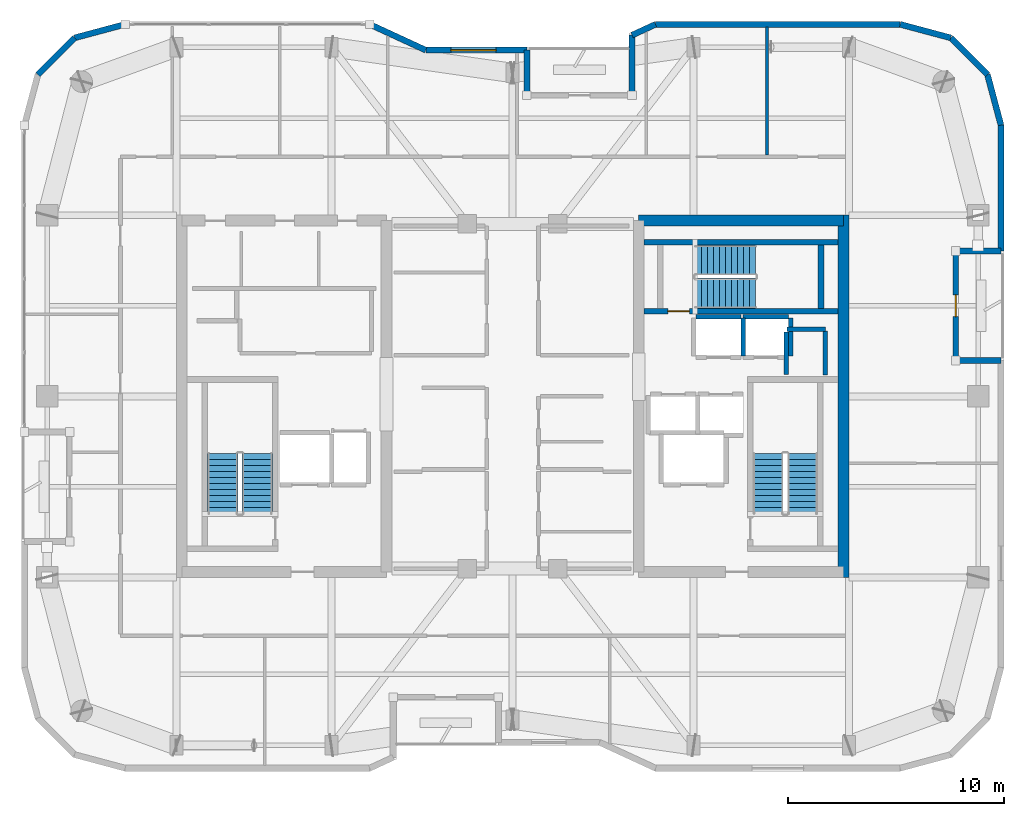
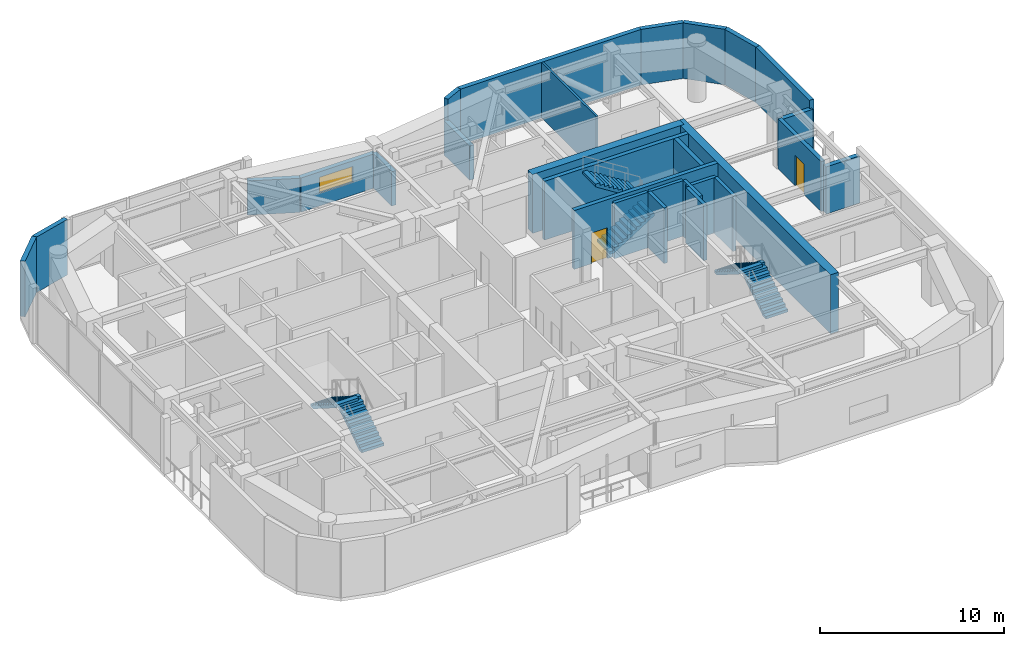
# One storey, part 13 of 15: 28 walls, 6 stair flights, 2 doors, 1 window, 3 openings, 3 elements without a shape of their own.
"""IFC4 building model written with IfcOpenShell, lengths in metres."""

from ifc_helpers import new_model, si_unit, direction, frame, frame_2d, origin, place, context, subcontext, project, spatial, polyline, rectangle, outline, extrude, material, layer, layer_set, type_object, element, fill, aggregate, save


model = new_model("IFC4")

# Units and contexts
model_context = context("Model", 3, precision=1e-05, world=origin(), true_north=direction((0.0, 1.0)))
body_context = subcontext(model_context, "Body", "Model", "MODEL_VIEW")
ifc_project = project(units=[si_unit("LENGTHUNIT", "METRE"), si_unit("AREAUNIT", "SQUARE_METRE"), si_unit("VOLUMEUNIT", "CUBIC_METRE"), si_unit("PLANEANGLEUNIT", "RADIAN"), si_unit("MASSUNIT", "GRAM", prefix="KILO")], contexts=[model_context])

# Site, building, storey
site_placement = place(None, origin())
site = spatial("IfcSite", under=ifc_project, at=site_placement, CompositionType="ELEMENT")
building_placement = place(site_placement, origin())
building = spatial("IfcBuilding", under=site, at=building_placement, Name="Kiyonajd Concourse Tower", CompositionType="ELEMENT")
storey_placement = place(building_placement, frame((0.0, 0.0, 266.699951171875)))
storey = spatial("IfcBuildingStorey", under=building, at=storey_placement, Name="L67", CompositionType="ELEMENT", Elevation=266.699951171875)

# Walls
ifc_material_1 = material(Name="Concrete C60/75", Category="concrete")
ifc_layer_1 = layer(ifc_material_1, 0.5)
ifc_layer_set_1 = layer_set([ifc_layer_1], Name="Concrete C60/75")
wall_type_1 = type_object("IfcWallType", Name="WL-CORE-500", PredefinedType="SHEAR", material=ifc_layer_set_1)
wall_1_placement = place(storey_placement, frame((63.35009765625, 27.60009765625, 0.0), z_axis=(0.0, 0.0, 1.0), x_axis=(0.0, 1.0, 0.0)))
element("IfcWall", 1, at=wall_1_placement, inside=storey, type_object=wall_type_1, Name="L67 East Core Outer Shear Wall", PredefinedType="SHEAR", context=body_context, shape_type="SweptSolid", body=[
    extrude(rectangle(XDim=16.7998046875, YDim=0.5, at=frame_2d((8.39990234375, 0.0))), origin(), (0.0, 0.0, 1.0), 3.900146484375),
])
wall_2_placement = place(storey_placement, frame((53.85009765625, 44.14990234375, 0.0), z_axis=(0.0, 0.0, 1.0), x_axis=(1.0, 0.0, 0.0)))
element("IfcWall", 2, at=wall_2_placement, inside=storey, type_object=wall_type_1, Name="L67 East Core North Shear Wall", PredefinedType="SHEAR", context=body_context, shape_type="SweptSolid", body=[
    extrude(rectangle(XDim=9.5, YDim=0.5, at=frame_2d((4.75, 0.0))), origin(), (0.0, 0.0, 1.0), 3.900146484375),
])
ifc_material_2 = material(Name="Precast concrete C50/60", Category="concrete")
ifc_layer_2 = layer(ifc_material_2, 0.280029296875)
ifc_layer_set_2 = layer_set([ifc_layer_2], Name="Precast concrete C50/60")
wall_type_2 = type_object("IfcWallType", Name="WL-EXT-280", PredefinedType="SOLIDWALL", material=ifc_layer_set_2)
wall_3_placement = place(storey_placement, frame((25.968505859375, 50.927490234375, 0.0), z_axis=(0.0, 0.0, 1.0), x_axis=(0.707106781187, 0.707106781187, 0.0)))
element("IfcWall", 3, at=wall_3_placement, inside=storey, type_object=wall_type_2, Name="L67 Exterior Concrete Frame Wall 07", PredefinedType="SOLIDWALL", context=body_context, shape_type="SweptSolid", body=[
    extrude(rectangle(XDim=2.409912109375, YDim=0.280029296875, at=frame_2d((1.205078125, 0.0))), origin(), (0.0, 0.0, 1.0), 3.679931640625),
])
wall_4_placement = place(storey_placement, frame((27.672607421875, 52.631591796875, 0.0), z_axis=(0.0, 0.0, 1.0), x_axis=(0.965937282298, 0.25877628691, 0.0)))
element("IfcWall", 4, at=wall_4_placement, inside=storey, type_object=wall_type_2, Name="L67 Exterior Concrete Frame Wall 08", PredefinedType="SOLIDWALL", context=body_context, shape_type="SweptSolid", body=[
    extrude(rectangle(XDim=2.428466796875, YDim=0.280029296875, at=frame_2d((1.21435546875, 0.0))), origin(), (0.0, 0.0, 1.0), 3.679931640625),
])
wall_5_placement = place(storey_placement, frame((41.369384765625, 53.260009765625, 0.0), z_axis=(0.0, 0.0, 1.0), x_axis=(0.907956889006, -0.419063584324, 0.0)))
element("IfcWall", 5, at=wall_5_placement, inside=storey, type_object=wall_type_2, Name="L67 Exterior Concrete Frame Wall 10", PredefinedType="SOLIDWALL", context=body_context, shape_type="SweptSolid", body=[
    extrude(rectangle(XDim=2.863525390625, YDim=0.280029296875, at=frame_2d((1.431640625, 0.0))), origin(), (0.0, 0.0, 1.0), 2.26513671875),
])

# Wall, opening, window
wall_6_placement = place(storey_placement, frame((43.96923828125, 52.06005859375, 0.0), z_axis=(0.0, 0.0, 1.0), x_axis=(1.0, 0.0, 0.0)))
wall_6 = element("IfcWall", 6, at=wall_6_placement, inside=storey, type_object=wall_type_2, Name="L67 Exterior Concrete Frame Wall 11", PredefinedType="SOLIDWALL", context=body_context, shape_type="SweptSolid", body=[
    extrude(rectangle(XDim=4.690673828125, YDim=0.280029296875, at=frame_2d((2.34521484375, 0.0))), origin(), (0.0, 0.0, 1.0), 2.26513671875),
])
opening_1_placement = place(wall_6_placement, frame((1.159912109375, 0.0, 0.85009765625)))
opening_1 = element("IfcOpeningElement", 7, at=opening_1_placement, cuts=wall_6, Name="Opening WN5", PredefinedType="OPENING", context=body_context, shape_type="SweptSolid", body=[
    extrude(rectangle(XDim=2.10009765625, YDim=1.050048828125, at=frame_2d((1.050048828125, 0.52490234375))), frame((0.0, 0.14990234375, 0.0), z_axis=(0.0, -1.0, 0.0), x_axis=(1.0, 0.0, 0.0)), (0.0, 0.0, 1.0), 0.300048828125),
])
ifc_material_3 = material(Name="Double Low-E Insulated Glass", Category="glass")
window_type = type_object("IfcWindowType", Name="WN-VIS-2100x1050", PartitioningType="SINGLE_PANEL", PredefinedType="WINDOW", material=ifc_material_3)
window_placement = place(opening_1_placement, origin())
window = element("IfcWindow", 8, at=window_placement, inside=storey, type_object=window_type, Name="L67 Modular Facade Vision Window 11", OverallHeight=1.050048828125, OverallWidth=2.10009765625, PartitioningType="SINGLE_PANEL", PredefinedType="WINDOW", context=body_context, shape_type="SweptSolid", body=[
    extrude(rectangle(XDim=2.10009765625, YDim=1.050048828125, at=frame_2d((1.050048828125, 0.52490234375))), frame((0.0, 0.030029296875, 0.0), z_axis=(0.0, -1.0, 0.0), x_axis=(1.0, 0.0, 0.0)), (0.0, 0.0, 1.0), 0.06005859375),
])
fill(opening_1, window)

# Walls
wall_7_placement = place(storey_placement, frame((48.659912109375, 52.06005859375, 0.0), z_axis=(0.0, 0.0, 1.0), x_axis=(0.0, -1.0, 0.0)))
element("IfcWall", 9, at=wall_7_placement, inside=storey, type_object=wall_type_2, Name="L67 Exterior Concrete Frame Wall 12", PredefinedType="SOLIDWALL", context=body_context, shape_type="SweptSolid", body=[
    extrude(rectangle(XDim=2.10009765625, YDim=0.280029296875, at=frame_2d((1.050048828125, 0.0))), origin(), (0.0, 0.0, 1.0), 2.26513671875),
])
wall_8_placement = place(storey_placement, frame((53.5400390625, 49.9599609375, 0.0), z_axis=(0.0, 0.0, 1.0), x_axis=(0.0, 1.0, 0.0)))
element("IfcWall", 10, at=wall_8_placement, inside=storey, type_object=wall_type_2, Name="L67 Exterior Concrete Frame Wall 14", PredefinedType="SOLIDWALL", context=body_context, shape_type="SweptSolid", body=[
    extrude(rectangle(XDim=2.79638671875, YDim=0.280029296875, at=frame_2d((1.398193359375, 0.0))), origin(), (0.0, 0.0, 1.0), 2.26513671875),
])
wall_9_placement = place(storey_placement, frame((53.5400390625, 52.75634765625, 0.0), z_axis=(0.0, 0.0, 1.0), x_axis=(0.907893953211, 0.419199916176, 0.0)))
element("IfcWall", 11, at=wall_9_placement, inside=storey, type_object=wall_type_2, Name="L67 Exterior Concrete Frame Wall 15", PredefinedType="SOLIDWALL", context=body_context, shape_type="SweptSolid", body=[
    extrude(rectangle(XDim=1.201416015625, YDim=0.280029296875, at=frame_2d((0.6005859375, 0.0))), origin(), (0.0, 0.0, 1.0), 3.679931640625),
])
wall_10_placement = place(storey_placement, frame((54.630859375, 53.260009765625, 0.0), z_axis=(0.0, 0.0, 1.0), x_axis=(1.0, 0.0, 0.0)))
element("IfcWall", 12, at=wall_10_placement, inside=storey, type_object=wall_type_2, Name="L67 Exterior Concrete Frame Wall 16", PredefinedType="SOLIDWALL", context=body_context, shape_type="SweptSolid", body=[
    extrude(rectangle(XDim=11.350830078125, YDim=0.280029296875, at=frame_2d((5.67529296875, 0.0))), origin(), (0.0, 0.0, 1.0), 3.679931640625),
])
wall_11_placement = place(storey_placement, frame((65.981689453125, 53.260009765625, 0.0), z_axis=(0.0, 0.0, 1.0), x_axis=(0.965937282298, -0.25877628691, 0.0)))
element("IfcWall", 13, at=wall_11_placement, inside=storey, type_object=wall_type_2, Name="L67 Exterior Concrete Frame Wall 17", PredefinedType="SOLIDWALL", context=body_context, shape_type="SweptSolid", body=[
    extrude(rectangle(XDim=2.428466796875, YDim=0.280029296875, at=frame_2d((1.21435546875, 0.0))), origin(), (0.0, 0.0, 1.0), 3.679931640625),
])
wall_12_placement = place(storey_placement, frame((68.327392578125, 52.631591796875, 0.0), z_axis=(0.0, 0.0, 1.0), x_axis=(0.707106781187, -0.707106781187, 0.0)))
element("IfcWall", 14, at=wall_12_placement, inside=storey, type_object=wall_type_2, Name="L67 Exterior Concrete Frame Wall 18", PredefinedType="SOLIDWALL", context=body_context, shape_type="SweptSolid", body=[
    extrude(rectangle(XDim=2.409912109375, YDim=0.280029296875, at=frame_2d((1.205078125, 0.0))), origin(), (0.0, 0.0, 1.0), 3.679931640625),
])
wall_13_placement = place(storey_placement, frame((70.031494140625, 50.927490234375, 0.0), z_axis=(0.0, 0.0, 1.0), x_axis=(0.258751159445, -0.965944013639, 0.0)))
element("IfcWall", 15, at=wall_13_placement, inside=storey, type_object=wall_type_2, Name="L67 Exterior Concrete Frame Wall 19", PredefinedType="SOLIDWALL", context=body_context, shape_type="SweptSolid", body=[
    extrude(rectangle(XDim=2.4287109375, YDim=0.280029296875, at=frame_2d((1.21435546875, 0.0))), origin(), (0.0, 0.0, 1.0), 3.679931640625),
])
wall_14_placement = place(storey_placement, frame((70.659912109375, 48.58154296875, 0.0), z_axis=(0.0, 0.0, 1.0), x_axis=(0.0, -1.0, 0.0)))
element("IfcWall", 16, at=wall_14_placement, inside=storey, type_object=wall_type_2, Name="L67 Exterior Concrete Frame Wall 20", PredefinedType="SOLIDWALL", context=body_context, shape_type="SweptSolid", body=[
    extrude(rectangle(XDim=5.841552734375, YDim=0.280029296875, at=frame_2d((2.9208984375, 0.0))), origin(), (0.0, 0.0, 1.0), 3.679931640625),
])
for number, where, z_axis, x_axis, name in (
    (17, (70.659912109375, 42.739990234375, 0.0), (0.0, 0.0, 1.0), (-1.0, 0.0, 0.0), "L67 Exterior Concrete Frame Wall 21"),
    (18, (68.56005859375, 37.659912109375, 0.0), (0.0, 0.0, 1.0), (1.0, 0.0, 0.0), "L67 Exterior Concrete Frame Wall 23"),
):
    element("IfcWall", number, at=place(storey_placement, frame(where, z_axis=z_axis, x_axis=x_axis)), inside=storey, type_object=wall_type_2, Name=name, PredefinedType="SOLIDWALL", context=body_context, shape_type="SweptSolid", body=[
        extrude(rectangle(XDim=2.099853515625, YDim=0.280029296875, at=frame_2d((1.0498046875, 0.0))), origin(), (0.0, 0.0, 1.0), 3.1259765625),
    ])

# Wall, opening, door
ifc_layer_3 = layer(ifc_material_2, 0.239990234375)
ifc_layer_set_3 = layer_set([ifc_layer_3], Name="Precast concrete C50/60")
wall_type_3 = type_object("IfcWallType", Name="WL-LOG-240", PredefinedType="SOLIDWALL", material=ifc_layer_set_3)
wall_15_placement = place(storey_placement, frame((68.56005859375, 42.544921875, 0.0), z_axis=(0.0, 0.0, 1.0), x_axis=(0.0, -1.0, 0.0)))
wall_15 = element("IfcWall", 19, at=wall_15_placement, inside=storey, type_object=wall_type_3, Name="L67 Recessed Loggia Thermal Wall LOG-E", PredefinedType="SOLIDWALL", context=body_context, shape_type="SweptSolid", body=[
    extrude(rectangle(XDim=4.68994140625, YDim=0.239990234375, at=frame_2d((2.344970703125, 0.0))), origin(), (0.0, 0.0, 1.0), 3.31103515625),
])
opening_2_placement = place(wall_15_placement, frame((1.844970703125, 0.0, 0.0)))
opening_2 = element("IfcOpeningElement", 20, at=opening_2_placement, cuts=wall_15, Name="Opening DL1", PredefinedType="OPENING", context=body_context, shape_type="SweptSolid", body=[
    extrude(rectangle(XDim=1.0, YDim=2.02001953125, at=frame_2d((0.5, 1.010009765625))), frame((0.0, 0.1298828125, 0.0), z_axis=(0.0, -1.0, 0.0), x_axis=(1.0, 0.0, 0.0)), (0.0, 0.0, 1.0), 0.260009765625),
])
ifc_material_4 = material(Name="Thermally Broken Anodised Aluminium", Category="aluminium")
door_type_1 = type_object("IfcDoorType", Name="DR-LOG-1000", OperationType="NOTDEFINED", PredefinedType="DOOR", material=ifc_material_4)
door_1_placement = place(opening_2_placement, origin())
door_1 = element("IfcDoor", 21, at=door_1_placement, inside=storey, type_object=door_type_1, Name="L67 Engawa Loggia Access Door LOG-E", OperationType="SINGLE_SWING_LEFT", OverallHeight=2.02001953125, OverallWidth=1.0, PredefinedType="DOOR", context=body_context, shape_type="SweptSolid", body=[
    extrude(rectangle(XDim=1.0, YDim=2.02001953125, at=frame_2d((0.5, 1.010009765625))), frame((0.0, 0.02490234375, 0.0), z_axis=(0.0, -1.0, 0.0), x_axis=(1.0, 0.0, 0.0)), (0.0, 0.0, 1.0), 0.050048828125),
])
fill(opening_2, door_1)

# Walls
ifc_material_5 = material(Name="Gypsum Board on Cold-Formed Steel Stud", Category="steel")
ifc_layer_4 = layer(ifc_material_5, 0.125)
ifc_layer_set_4 = layer_set([ifc_layer_4], Name="Gypsum Board on Cold-Formed Steel Stud")
wall_type_4 = type_object("IfcWallType", Name="WL-PART-125", PredefinedType="PARTITIONING", material=ifc_layer_set_4)
wall_16_placement = place(storey_placement, frame((59.800048828125, 47.197021484375, 0.0), z_axis=(0.0, 0.0, 1.0), x_axis=(0.0, 1.0, 0.0)))
element("IfcWall", 22, at=wall_16_placement, inside=storey, type_object=wall_type_4, Name="L67 Interior Partition Wall", PredefinedType="PARTITIONING", context=body_context, shape_type="SweptSolid", body=[
    extrude(rectangle(XDim=5.927978515625, YDim=0.125, at=frame_2d((2.9638671875, 0.0))), origin(), (0.0, 0.0, 1.0), 3.679931640625),
])
ifc_layer_5 = layer(ifc_material_5, 0.2099609375)
ifc_layer_set_5 = layer_set([ifc_layer_5], Name="Gypsum Board on Cold-Formed Steel Stud")
wall_type_5 = type_object("IfcWallType", Name="WL-SHAFT-210", PredefinedType="PARTITIONING", material=ifc_layer_set_5)
wall_17_placement = place(storey_placement, frame((60.719970703125, 39.10009765625, 0.0), z_axis=(0.0, 0.0, 1.0), x_axis=(1.0, 0.0, 0.0)))
element("IfcWall", 23, at=wall_17_placement, inside=storey, type_object=wall_type_5, Name="L67 Shaft Enclosure Wall", PredefinedType="PARTITIONING", context=body_context, shape_type="SweptSolid", body=[
    extrude(rectangle(XDim=1.800048828125, YDim=0.2099609375, at=frame_2d((0.89990234375, 0.0))), origin(), (0.0, 0.0, 1.0), 3.679931640625),
])
wall_18_placement = place(storey_placement, frame((60.699951171875, 37.02001953125, 0.0), z_axis=(0.0, 0.0, 1.0), x_axis=(0.0, 1.0, 0.0)))
element("IfcWall", 24, at=wall_18_placement, inside=storey, type_object=wall_type_5, Name="L67 Shaft Enclosure Wall", PredefinedType="PARTITIONING", context=body_context, shape_type="SweptSolid", body=[
    extrude(rectangle(XDim=1.9599609375, YDim=0.2099609375, at=frame_2d((0.97998046875, 0.0))), origin(), (0.0, 0.0, 1.0), 3.679931640625),
])
wall_19_placement = place(storey_placement, frame((62.5, 36.97998046875, 0.0), z_axis=(0.0, 0.0, 1.0), x_axis=(0.0, 1.0, 0.0)))
element("IfcWall", 25, at=wall_19_placement, inside=storey, type_object=wall_type_5, Name="L67 Shaft Enclosure Wall", PredefinedType="PARTITIONING", context=body_context, shape_type="SweptSolid", body=[
    extrude(rectangle(XDim=2.0400390625, YDim=0.2099609375, at=frame_2d((1.02001953125, 0.0))), origin(), (0.0, 0.0, 1.0), 3.679931640625),
])
wall_20_placement = place(storey_placement, frame((56.5, 39.699951171875, 0.0), z_axis=(0.0, 0.0, 1.0), x_axis=(1.0, 0.0, 0.0)))
element("IfcWall", 26, at=wall_20_placement, inside=storey, type_object=wall_type_5, Name="L67 Shaft Enclosure Wall", PredefinedType="PARTITIONING", context=body_context, shape_type="SweptSolid", body=[
    extrude(rectangle(XDim=2.10009765625, YDim=0.2099609375, at=frame_2d((1.050048828125, 0.0))), origin(), (0.0, 0.0, 1.0), 3.679931640625),
])
wall_21_placement = place(storey_placement, frame((58.699951171875, 37.860107421875, 0.0), z_axis=(0.0, 0.0, 1.0), x_axis=(0.0, 1.0, 0.0)))
element("IfcWall", 27, at=wall_21_placement, inside=storey, type_object=wall_type_5, Name="L67 Shaft Enclosure Wall", PredefinedType="PARTITIONING", context=body_context, shape_type="SweptSolid", body=[
    extrude(rectangle(XDim=1.77978515625, YDim=0.2099609375, at=frame_2d((0.889892578125, 0.0))), origin(), (0.0, 0.0, 1.0), 3.679931640625),
])
wall_22_placement = place(storey_placement, frame((58.699951171875, 39.699951171875, 0.0), z_axis=(0.0, 0.0, 1.0), x_axis=(1.0, 0.0, 0.0)))
element("IfcWall", 28, at=wall_22_placement, inside=storey, type_object=wall_type_5, Name="L67 Shaft Enclosure Wall", PredefinedType="PARTITIONING", context=body_context, shape_type="SweptSolid", body=[
    extrude(rectangle(XDim=2.10009765625, YDim=0.2099609375, at=frame_2d((1.050048828125, 0.0))), origin(), (0.0, 0.0, 1.0), 3.679931640625),
])
wall_23_placement = place(storey_placement, frame((60.89990234375, 37.860107421875, 0.0), z_axis=(0.0, 0.0, 1.0), x_axis=(0.0, 1.0, 0.0)))
element("IfcWall", 29, at=wall_23_placement, inside=storey, type_object=wall_type_5, Name="L67 Shaft Enclosure Wall", PredefinedType="PARTITIONING", context=body_context, shape_type="SweptSolid", body=[
    extrude(rectangle(XDim=1.77978515625, YDim=0.2099609375, at=frame_2d((0.889892578125, 0.0))), origin(), (0.0, 0.0, 1.0), 3.679931640625),
])

# Wall, opening, door
ifc_material_6 = material(Name="Concrete C50/60", Category="concrete")
ifc_layer_6 = layer(ifc_material_6, 0.260009765625)
ifc_layer_set_6 = layer_set([ifc_layer_6], Name="Concrete C50/60")
wall_type_6 = type_object("IfcWallType", Name="WL-STAIR-260", PredefinedType="SHEAR", material=ifc_layer_set_6)
wall_24_placement = place(storey_placement, frame((54.10009765625, 39.949951171875, 0.0), z_axis=(0.0, 0.0, 1.0), x_axis=(1.0, 0.0, 0.0)))
wall_24 = element("IfcWall", 30, at=wall_24_placement, inside=storey, type_object=wall_type_6, Name="L67 Stair ST3 Structural South Wall", PredefinedType="SHEAR", context=body_context, shape_type="SweptSolid", body=[
    extrude(rectangle(XDim=9.0, YDim=0.260009765625, at=frame_2d((4.5, 0.0))), origin(), (0.0, 0.0, 1.0), 3.900146484375),
])
opening_3_placement = place(wall_24_placement, frame((1.10009765625, 0.0, 0.0)))
opening_3 = element("IfcOpeningElement", 31, at=opening_3_placement, cuts=wall_24, Name="Opening DF1", PredefinedType="OPENING", context=body_context, shape_type="SweptSolid", body=[
    extrude(rectangle(XDim=1.0, YDim=2.0400390625, at=frame_2d((0.5, 1.02001953125))), frame((0.0, 0.139892578125, 0.0), z_axis=(0.0, -1.0, 0.0), x_axis=(1.0, 0.0, 0.0)), (0.0, 0.0, 1.0), 0.280029296875),
])
ifc_material_7 = material(Name="Brushed Stainless Steel Cab Assembly", Category="steel")
door_type_2 = type_object("IfcDoorType", Name="DR-FD90-1000", OperationType="NOTDEFINED", PredefinedType="DOOR", material=ifc_material_7)
door_2_placement = place(opening_3_placement, origin())
door_2 = element("IfcDoor", 32, at=door_2_placement, inside=storey, type_object=door_type_2, Name="L67 Stair ST3 Enclosure Door", OperationType="SINGLE_SWING_LEFT", OverallHeight=2.0400390625, OverallWidth=1.0, PredefinedType="DOOR", context=body_context, shape_type="SweptSolid", body=[
    extrude(rectangle(XDim=1.0, YDim=2.0400390625, at=frame_2d((0.5, 1.02001953125))), frame((0.0, 0.02490234375, 0.0), z_axis=(0.0, -1.0, 0.0), x_axis=(1.0, 0.0, 0.0)), (0.0, 0.0, 1.0), 0.050048828125),
])
fill(opening_3, door_2)

# Walls
wall_25_placement = place(storey_placement, frame((54.10009765625, 43.14990234375, 0.0), z_axis=(0.0, 0.0, 1.0), x_axis=(1.0, 0.0, 0.0)))
element("IfcWall", 33, at=wall_25_placement, inside=storey, type_object=wall_type_6, Name="L67 Stair ST3 Structural North Wall", PredefinedType="SHEAR", context=body_context, shape_type="SweptSolid", body=[
    extrude(rectangle(XDim=9.0, YDim=0.260009765625, at=frame_2d((4.5, 0.0))), origin(), (0.0, 0.0, 1.0), 3.900146484375),
])
wall_26_placement = place(storey_placement, frame((62.31005859375, 40.080078125, 0.0), z_axis=(0.0, 0.0, 1.0), x_axis=(0.0, 1.0, 0.0)))
element("IfcWall", 34, at=wall_26_placement, inside=storey, type_object=wall_type_6, Name="L67 Stair ST3 Structural East Wall", PredefinedType="SHEAR", context=body_context, shape_type="SweptSolid", body=[
    extrude(rectangle(XDim=2.93994140625, YDim=0.260009765625, at=frame_2d((1.469970703125, 0.0))), origin(), (0.0, 0.0, 1.0), 3.900146484375),
])

# Stair, stair flights
ifc_material_8 = material(Name="Concrete C40/50", Category="concrete")
stair_type = type_object("IfcStairType", Name="ST-DLG-22R", PredefinedType="HALF_TURN_STAIR", material=ifc_material_8)
stair_1_placement = place(storey_placement, origin())
stair_1 = element("IfcStair", 35, at=stair_1_placement, inside=storey, type_object=stair_type, Name="L67 Protected Exit Stair ST1", PredefinedType="HALF_TURN_STAIR")
stair_flight_type = type_object("IfcStairFlightType", Name="SF-STR-22R", PredefinedType="STRAIGHT", material=ifc_material_8)
stair_flight_1_placement = place(storey_placement, frame((36.14990234375, 30.550048828125, 0.0), z_axis=(0.0, 0.0, 1.0), x_axis=(0.0, 1.0, 0.0)))
stair_flight_1 = element("IfcStairFlight", 36, at=stair_flight_1_placement, type_object=stair_flight_type, Name="ST1 flight 1", NumberOfRisers=11, NumberOfTreads=10, PredefinedType="STRAIGHT", RiserHeight=0.177272727, TreadLength=0.28, context=body_context, shape_type="SweptSolid", body=[
    extrude(outline(polyline([(0.0, 0.0), (0.0, 0.17724609375), (0.280029296875, 0.17724609375), (0.280029296875, 0.3544921875), (0.56005859375, 0.3544921875), (0.56005859375, 0.53173828125), (0.840087890625, 0.53173828125), (0.840087890625, 0.708984375), (1.1201171875, 0.708984375), (1.1201171875, 0.886474609375), (1.39990234375, 0.886474609375), (1.39990234375, 1.063720703125), (1.679931640625, 1.063720703125), (1.679931640625, 1.240966796875), (1.9599609375, 1.240966796875), (1.9599609375, 1.418212890625), (2.239990234375, 1.418212890625), (2.239990234375, 1.595458984375), (2.52001953125, 1.595458984375), (2.52001953125, 1.772705078125), (2.800048828125, 1.772705078125), (2.800048828125, 1.949951171875), (2.800048828125, 1.59521484375), (0.2802734375, 0.0), (0.0, 0.0)])), frame((0.0, 0.699951171875, 0.0), z_axis=(0.0, -1.0, 0.0), x_axis=(1.0, 0.0, 0.0)), (0.0, 0.0, 1.0), 1.39990234375),
])
stair_flight_2_placement = place(storey_placement, frame((34.550048828125, 33.35009765625, 1.949951171875), z_axis=(0.0, 0.0, 1.0), x_axis=(0.0, -1.0, 0.0)))
stair_flight_2 = element("IfcStairFlight", 37, at=stair_flight_2_placement, type_object=stair_flight_type, Name="ST1 flight 2", NumberOfRisers=11, NumberOfTreads=10, PredefinedType="STRAIGHT", RiserHeight=0.177272727, TreadLength=0.28, context=body_context, shape_type="SweptSolid", body=[
    extrude(outline(polyline([(0.0, 0.0), (0.0, 0.17724609375), (0.280029296875, 0.17724609375), (0.280029296875, 0.3544921875), (0.56005859375, 0.3544921875), (0.56005859375, 0.53173828125), (0.840087890625, 0.53173828125), (0.840087890625, 0.708984375), (1.1201171875, 0.708984375), (1.1201171875, 0.886474609375), (1.39990234375, 0.886474609375), (1.39990234375, 1.063720703125), (1.679931640625, 1.063720703125), (1.679931640625, 1.240966796875), (1.9599609375, 1.240966796875), (1.9599609375, 1.418212890625), (2.239990234375, 1.418212890625), (2.239990234375, 1.595458984375), (2.52001953125, 1.595458984375), (2.52001953125, 1.772705078125), (2.800048828125, 1.772705078125), (2.800048828125, 1.949951171875), (2.800048828125, 1.59521484375), (0.2802734375, 0.0), (0.0, 0.0)])), frame((0.0, 0.699951171875, 0.0), z_axis=(0.0, -1.0, 0.0), x_axis=(1.0, 0.0, 0.0)), (0.0, 0.0, 1.0), 1.39990234375),
])
aggregate(stair_1, [stair_flight_1, stair_flight_2])

stair_2_placement = place(storey_placement, origin())
stair_2 = element("IfcStair", 38, at=stair_2_placement, inside=storey, type_object=stair_type, Name="L67 Protected Exit Stair ST2", PredefinedType="HALF_TURN_STAIR")
stair_flight_3_placement = place(storey_placement, frame((61.449951171875, 30.550048828125, 0.0), z_axis=(0.0, 0.0, 1.0), x_axis=(0.0, 1.0, 0.0)))
stair_flight_3 = element("IfcStairFlight", 39, at=stair_flight_3_placement, type_object=stair_flight_type, Name="ST2 flight 1", NumberOfRisers=11, NumberOfTreads=10, PredefinedType="STRAIGHT", RiserHeight=0.177272727, TreadLength=0.28, context=body_context, shape_type="SweptSolid", body=[
    extrude(outline(polyline([(0.0, 0.0), (0.0, 0.17724609375), (0.280029296875, 0.17724609375), (0.280029296875, 0.3544921875), (0.56005859375, 0.3544921875), (0.56005859375, 0.53173828125), (0.840087890625, 0.53173828125), (0.840087890625, 0.708984375), (1.1201171875, 0.708984375), (1.1201171875, 0.886474609375), (1.39990234375, 0.886474609375), (1.39990234375, 1.063720703125), (1.679931640625, 1.063720703125), (1.679931640625, 1.240966796875), (1.9599609375, 1.240966796875), (1.9599609375, 1.418212890625), (2.239990234375, 1.418212890625), (2.239990234375, 1.595458984375), (2.52001953125, 1.595458984375), (2.52001953125, 1.772705078125), (2.800048828125, 1.772705078125), (2.800048828125, 1.949951171875), (2.800048828125, 1.59521484375), (0.2802734375, 0.0), (0.0, 0.0)])), frame((0.0, 0.699951171875, 0.0), z_axis=(0.0, -1.0, 0.0), x_axis=(1.0, 0.0, 0.0)), (0.0, 0.0, 1.0), 1.39990234375),
])
stair_flight_4_placement = place(storey_placement, frame((59.85009765625, 33.35009765625, 1.949951171875), z_axis=(0.0, 0.0, 1.0), x_axis=(0.0, -1.0, 0.0)))
stair_flight_4 = element("IfcStairFlight", 40, at=stair_flight_4_placement, type_object=stair_flight_type, Name="ST2 flight 2", NumberOfRisers=11, NumberOfTreads=10, PredefinedType="STRAIGHT", RiserHeight=0.177272727, TreadLength=0.28, context=body_context, shape_type="SweptSolid", body=[
    extrude(outline(polyline([(0.0, 0.0), (0.0, 0.17724609375), (0.280029296875, 0.17724609375), (0.280029296875, 0.3544921875), (0.56005859375, 0.3544921875), (0.56005859375, 0.53173828125), (0.840087890625, 0.53173828125), (0.840087890625, 0.708984375), (1.1201171875, 0.708984375), (1.1201171875, 0.886474609375), (1.39990234375, 0.886474609375), (1.39990234375, 1.063720703125), (1.679931640625, 1.063720703125), (1.679931640625, 1.240966796875), (1.9599609375, 1.240966796875), (1.9599609375, 1.418212890625), (2.239990234375, 1.418212890625), (2.239990234375, 1.595458984375), (2.52001953125, 1.595458984375), (2.52001953125, 1.772705078125), (2.800048828125, 1.772705078125), (2.800048828125, 1.949951171875), (2.800048828125, 1.59521484375), (0.2802734375, 0.0), (0.0, 0.0)])), frame((0.0, 0.699951171875, 0.0), z_axis=(0.0, -1.0, 0.0), x_axis=(1.0, 0.0, 0.0)), (0.0, 0.0, 1.0), 1.39990234375),
])
aggregate(stair_2, [stair_flight_3, stair_flight_4])

stair_3_placement = place(storey_placement, origin())
stair_3 = element("IfcStair", 41, at=stair_3_placement, inside=storey, type_object=stair_type, Name="L67 Protected Exit Stair ST3", PredefinedType="HALF_TURN_STAIR")
stair_flight_5_placement = place(storey_placement, frame((56.47998046875, 40.780029296875, 0.0), z_axis=(0.0, 0.0, 1.0), x_axis=(1.0, 0.0, 0.0)))
stair_flight_5 = element("IfcStairFlight", 42, at=stair_flight_5_placement, type_object=stair_flight_type, Name="ST3 flight 1", NumberOfRisers=11, NumberOfTreads=10, PredefinedType="STRAIGHT", RiserHeight=0.177272727, TreadLength=0.28, context=body_context, shape_type="SweptSolid", body=[
    extrude(outline(polyline([(0.0, 0.0), (0.0, 0.17724609375), (0.280029296875, 0.17724609375), (0.280029296875, 0.3544921875), (0.56005859375, 0.3544921875), (0.56005859375, 0.53173828125), (0.840087890625, 0.53173828125), (0.840087890625, 0.708984375), (1.1201171875, 0.708984375), (1.1201171875, 0.886474609375), (1.39990234375, 0.886474609375), (1.39990234375, 1.063720703125), (1.679931640625, 1.063720703125), (1.679931640625, 1.240966796875), (1.9599609375, 1.240966796875), (1.9599609375, 1.418212890625), (2.239990234375, 1.418212890625), (2.239990234375, 1.595458984375), (2.52001953125, 1.595458984375), (2.52001953125, 1.772705078125), (2.800048828125, 1.772705078125), (2.800048828125, 1.949951171875), (2.800048828125, 1.59521484375), (0.2802734375, 0.0), (0.0, 0.0)])), frame((0.0, 0.699951171875, 0.0), z_axis=(0.0, -1.0, 0.0), x_axis=(1.0, 0.0, 0.0)), (0.0, 0.0, 1.0), 1.39990234375),
])
stair_flight_6_placement = place(storey_placement, frame((59.280029296875, 42.320068359375, 1.949951171875), z_axis=(0.0, 0.0, 1.0), x_axis=(-1.0, 0.0, 0.0)))
stair_flight_6 = element("IfcStairFlight", 43, at=stair_flight_6_placement, type_object=stair_flight_type, Name="ST3 flight 2", NumberOfRisers=11, NumberOfTreads=10, PredefinedType="STRAIGHT", RiserHeight=0.177272727, TreadLength=0.28, context=body_context, shape_type="SweptSolid", body=[
    extrude(outline(polyline([(0.0, 0.0), (0.0, 0.17724609375), (0.280029296875, 0.17724609375), (0.280029296875, 0.3544921875), (0.56005859375, 0.3544921875), (0.56005859375, 0.53173828125), (0.840087890625, 0.53173828125), (0.840087890625, 0.708984375), (1.1201171875, 0.708984375), (1.1201171875, 0.886474609375), (1.39990234375, 0.886474609375), (1.39990234375, 1.063720703125), (1.679931640625, 1.063720703125), (1.679931640625, 1.240966796875), (1.9599609375, 1.240966796875), (1.9599609375, 1.418212890625), (2.239990234375, 1.418212890625), (2.239990234375, 1.595458984375), (2.52001953125, 1.595458984375), (2.52001953125, 1.772705078125), (2.800048828125, 1.772705078125), (2.800048828125, 1.949951171875), (2.800048828125, 1.59521484375), (0.2802734375, 0.0), (0.0, 0.0)])), frame((0.0, 0.699951171875, 0.0), z_axis=(0.0, -1.0, 0.0), x_axis=(1.0, 0.0, 0.0)), (0.0, 0.0, 1.0), 1.39990234375),
])
aggregate(stair_3, [stair_flight_5, stair_flight_6])

save(model, "model.ifc")
